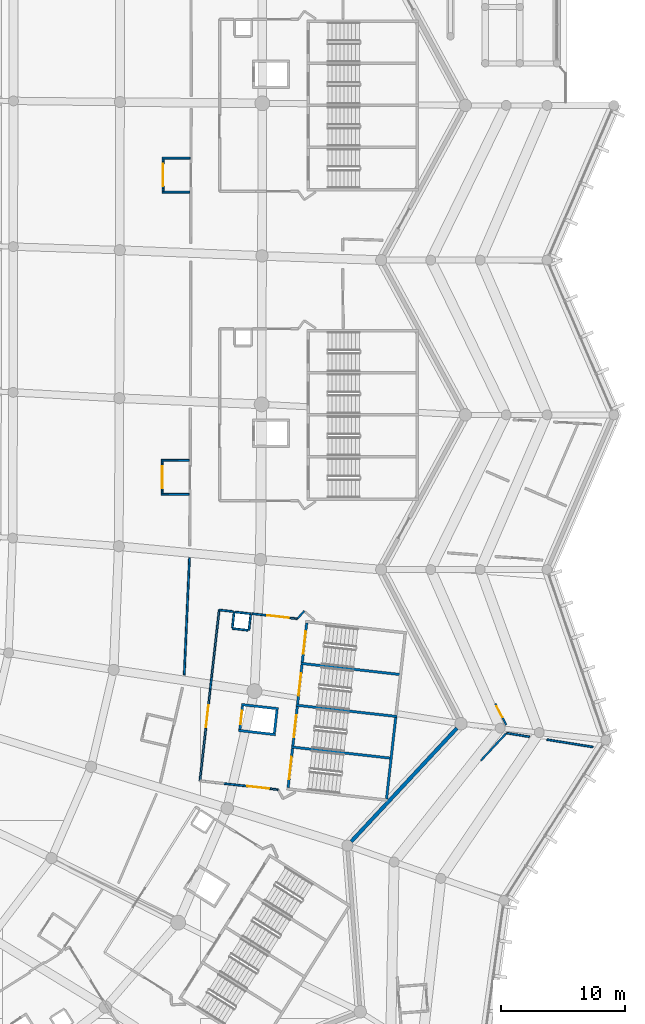
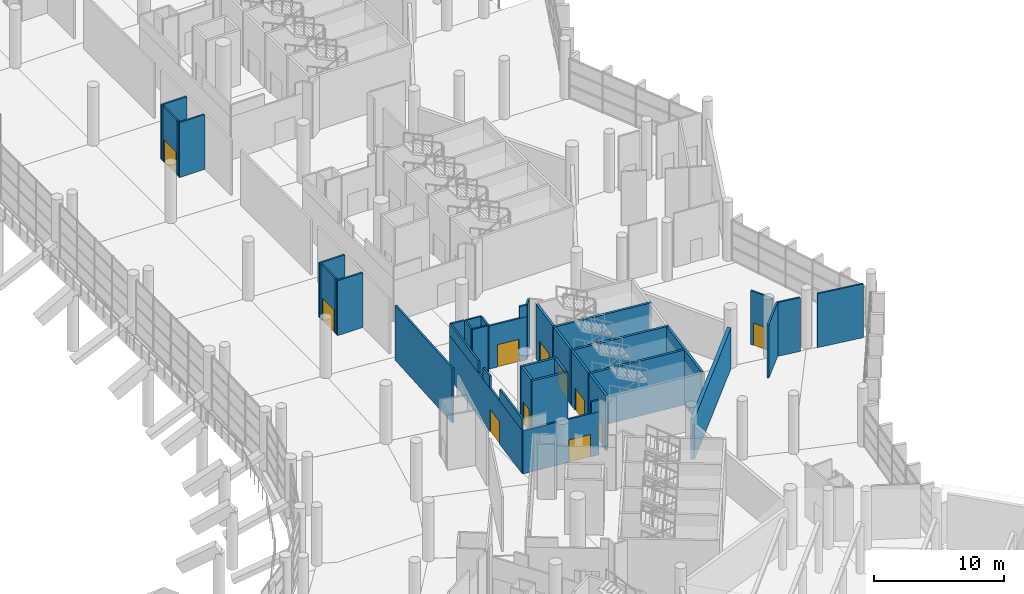
# One storey, part 176 of 271: 42 walls, 11 doors, 11 openings.
"""IFC4 building model written with IfcOpenShell, lengths in metres."""

from ifc_helpers import new_model, si_unit, direction, frame, frame_2d, origin, place, context, subcontext, project, spatial, rectangle, extrude, material, layer, layer_set, type_object, element, fill, save


model = new_model("IFC4")

# Units and contexts
model_context = context("Model", 3, precision=1e-05, world=origin(), true_north=direction((0.0, 1.0)))
body_context = subcontext(model_context, "Body", "Model", "MODEL_VIEW")
ifc_project = project(units=[si_unit("LENGTHUNIT", "METRE"), si_unit("AREAUNIT", "SQUARE_METRE"), si_unit("VOLUMEUNIT", "CUBIC_METRE"), si_unit("PLANEANGLEUNIT", "RADIAN"), si_unit("MASSUNIT", "GRAM", prefix="KILO")], contexts=[model_context])

# Site, building, storey
site_placement = place(None, origin())
site = spatial("IfcSite", under=ifc_project, at=site_placement, CompositionType="ELEMENT")
building_placement = place(site_placement, origin())
building = spatial("IfcBuilding", under=site, at=building_placement, Name="Meseta Stadium", CompositionType="ELEMENT")
storey_placement = place(building_placement, frame((0.0, 0.0, 6.5)))
storey = spatial("IfcBuildingStorey", under=building, at=storey_placement, Name="L01", CompositionType="ELEMENT", Elevation=6.5)

# Walls
ifc_material_1 = material(Name="Concrete C40/50", Category="concrete")
ifc_layer_1 = layer(ifc_material_1, 0.199951171875)
ifc_layer_set_1 = layer_set([ifc_layer_1], Name="Core divider wall 200")
wall_type_1 = type_object("IfcWallType", Name="Core divider wall 200", PredefinedType="SHEAR", material=ifc_layer_set_1)
wall_1_placement = place(storey_placement, frame((95.503662109375, -58.999267578125, 0.0), z_axis=(0.0, 0.0, 1.0), x_axis=(-0.993710792168, 0.111977058046, 0.0)))
element("IfcWall", 1, at=wall_1_placement, inside=storey, type_object=wall_type_1, Name="Core 01 L01 stair A divider wall", PredefinedType="SHEAR", context=body_context, shape_type="SweptSolid", body=[
    extrude(rectangle(XDim=8.199951171875, YDim=0.199951171875, at=frame_2d((4.10009765625, 0.0))), origin(), (0.0, 0.0, 1.0), 5.14990234375),
])
wall_2_placement = place(storey_placement, frame((96.264892578125, -52.241943359375, 0.0), z_axis=(0.0, 0.0, 1.0), x_axis=(-0.993713731549, 0.111950970206, 0.0)))
element("IfcWall", 2, at=wall_2_placement, inside=storey, type_object=wall_type_1, Name="Core 01 L01 stair B divider wall", PredefinedType="SHEAR", context=body_context, shape_type="SweptSolid", body=[
    extrude(rectangle(XDim=8.19970703125, YDim=0.199951171875, at=frame_2d((4.099853515625, 0.0))), origin(), (0.0, 0.0, 1.0), 5.14990234375),
])
ifc_material_2 = material(Name="Concrete C40/50", Category="concrete")
ifc_layer_2 = layer(ifc_material_2, 0.199951171875)
ifc_layer_set_2 = layer_set([ifc_layer_2], Name="Core shaft wall 200")
wall_type_2 = type_object("IfcWallType", Name="Core shaft wall 200", PredefinedType="SHEAR", material=ifc_layer_set_2)
wall_3_placement = place(storey_placement, frame((95.884521484375, -55.62060546875, 0.0), z_axis=(0.0, 0.0, 1.0), x_axis=(-0.993711165474, 0.111973745194, 0.0)))
element("IfcWall", 3, at=wall_3_placement, inside=storey, type_object=wall_type_2, Name="Core 01 L01 stair wall shared", PredefinedType="SHEAR", context=body_context, shape_type="SweptSolid", body=[
    extrude(rectangle(XDim=8.2001953125, YDim=0.199951171875, at=frame_2d((4.10009765625, 0.0))), origin(), (0.0, 0.0, 1.0), 5.14990234375),
])
wall_4_placement = place(storey_placement, frame((95.034912109375, -62.267333984375, 0.0), z_axis=(0.0, 0.0, 1.0), x_axis=(0.111933579504, 0.993715690617, 0.0)))
element("IfcWall", 4, at=wall_4_placement, inside=storey, type_object=wall_type_2, Name="Core 01 L01 stair A outer end wall", PredefinedType="SHEAR", context=body_context, shape_type="SweptSolid", body=[
    extrude(rectangle(XDim=6.60009765625, YDim=0.199951171875, at=frame_2d((3.300048828125, 0.0))), origin(), (0.0, 0.0, 1.0), 5.14990234375),
])

# Wall, opening, door
wall_5_placement = place(storey_placement, frame((87.085205078125, -61.37158203125, 0.0), z_axis=(0.0, 0.0, 1.0), x_axis=(0.11192190762, 0.993717005286, 0.0)))
wall_5 = element("IfcWall", 5, at=wall_5_placement, inside=storey, type_object=wall_type_2, Name="Core 01 L01 stair A1 inner end wall", PredefinedType="SHEAR", context=body_context, shape_type="SweptSolid", body=[
    extrude(rectangle(XDim=3.199951171875, YDim=0.199951171875, at=frame_2d((1.60009765625, 0.0))), origin(), (0.0, 0.0, 1.0), 5.14990234375),
])
opening_1_placement = place(wall_5_placement, frame((0.699951171875, 0.0, 0.0)))
opening_1 = element("IfcOpeningElement", 6, at=opening_1_placement, cuts=wall_5, Name="Opening D039", PredefinedType="OPENING", context=body_context, shape_type="SweptSolid", body=[
    extrude(rectangle(XDim=1.800048828125, YDim=2.10009765625, at=frame_2d((0.89990234375, 1.050048828125))), frame((0.0, 0.10986328125, 0.0), z_axis=(0.0, -1.0, 0.0), x_axis=(1.0, 0.0, 0.0)), (0.0, 0.0, 1.0), 0.219970703125),
])
ifc_material_3 = material(Name="Steel", Category="steel")
door_type_1 = type_object("IfcDoorType", Name="Stair door 1800x2100", OperationType="DOUBLE_DOOR_SINGLE_SWING", PredefinedType="DOOR", material=ifc_material_3)
door_1_placement = place(opening_1_placement, origin())
door_1 = element("IfcDoor", 7, at=door_1_placement, inside=storey, type_object=door_type_1, Name="Stair A1 door 01 L01", OperationType="DOUBLE_DOOR_SINGLE_SWING", OverallHeight=2.10009765625, OverallWidth=1.800048828125, PredefinedType="DOOR", context=body_context, shape_type="SweptSolid", body=[
    extrude(rectangle(XDim=1.800048828125, YDim=2.10009765625, at=frame_2d((0.89990234375, 1.050048828125))), frame((0.0, 0.02490234375, 0.0), z_axis=(0.0, -1.0, 0.0), x_axis=(1.0, 0.0, 0.0)), (0.0, 0.0, 1.0), 0.050048828125),
])
fill(opening_1, door_1)

wall_6_placement = place(storey_placement, frame((87.4658203125, -57.992919921875, 0.0), z_axis=(0.0, 0.0, 1.0), x_axis=(0.111997244021, 0.993708517288, 0.0)))
wall_6 = element("IfcWall", 8, at=wall_6_placement, inside=storey, type_object=wall_type_2, Name="Core 01 L01 stair A2 inner end wall", PredefinedType="SHEAR", context=body_context, shape_type="SweptSolid", body=[
    extrude(rectangle(XDim=3.199951171875, YDim=0.199951171875, at=frame_2d((1.60009765625, 0.0))), origin(), (0.0, 0.0, 1.0), 5.14990234375),
])
opening_2_placement = place(wall_6_placement, frame((0.699951171875, 0.0, 0.0)))
opening_2 = element("IfcOpeningElement", 9, at=opening_2_placement, cuts=wall_6, Name="Opening D040", PredefinedType="OPENING", context=body_context, shape_type="SweptSolid", body=[
    extrude(rectangle(XDim=1.800048828125, YDim=2.10009765625, at=frame_2d((0.89990234375, 1.050048828125))), frame((0.0, 0.10986328125, 0.0), z_axis=(0.0, -1.0, 0.0), x_axis=(1.0, 0.0, 0.0)), (0.0, 0.0, 1.0), 0.219970703125),
])
door_2_placement = place(opening_2_placement, origin())
door_2 = element("IfcDoor", 10, at=door_2_placement, inside=storey, type_object=door_type_1, Name="Stair A2 door 01 L01", OperationType="DOUBLE_DOOR_SINGLE_SWING", OverallHeight=2.10009765625, OverallWidth=1.800048828125, PredefinedType="DOOR", context=body_context, shape_type="SweptSolid", body=[
    extrude(rectangle(XDim=1.800048828125, YDim=2.10009765625, at=frame_2d((0.89990234375, 1.050048828125))), frame((0.0, 0.02490234375, 0.0), z_axis=(0.0, -1.0, 0.0), x_axis=(1.0, 0.0, 0.0)), (0.0, 0.0, 1.0), 0.050048828125),
])
fill(opening_2, door_2)

wall_7_placement = place(storey_placement, frame((87.846435546875, -54.6142578125, 0.0), z_axis=(0.0, 0.0, 1.0), x_axis=(0.112005735442, 0.993707560215, 0.0)))
wall_7 = element("IfcWall", 11, at=wall_7_placement, inside=storey, type_object=wall_type_2, Name="Core 01 L01 stair B1 inner end wall", PredefinedType="SHEAR", context=body_context, shape_type="SweptSolid", body=[
    extrude(rectangle(XDim=3.19970703125, YDim=0.199951171875, at=frame_2d((1.599853515625, 0.0))), origin(), (0.0, 0.0, 1.0), 5.14990234375),
])
opening_3_placement = place(wall_7_placement, frame((0.699951171875, 0.0, 0.0)))
opening_3 = element("IfcOpeningElement", 12, at=opening_3_placement, cuts=wall_7, Name="Opening D041", PredefinedType="OPENING", context=body_context, shape_type="SweptSolid", body=[
    extrude(rectangle(XDim=1.800048828125, YDim=2.10009765625, at=frame_2d((0.89990234375, 1.050048828125))), frame((0.0, 0.10986328125, 0.0), z_axis=(0.0, -1.0, 0.0), x_axis=(1.0, 0.0, 0.0)), (0.0, 0.0, 1.0), 0.219970703125),
])
door_3_placement = place(opening_3_placement, origin())
door_3 = element("IfcDoor", 13, at=door_3_placement, inside=storey, type_object=door_type_1, Name="Stair B1 door 01 L01", OperationType="DOUBLE_DOOR_SINGLE_SWING", OverallHeight=2.10009765625, OverallWidth=1.800048828125, PredefinedType="DOOR", context=body_context, shape_type="SweptSolid", body=[
    extrude(rectangle(XDim=1.800048828125, YDim=2.10009765625, at=frame_2d((0.89990234375, 1.050048828125))), frame((0.0, 0.02490234375, 0.0), z_axis=(0.0, -1.0, 0.0), x_axis=(1.0, 0.0, 0.0)), (0.0, 0.0, 1.0), 0.050048828125),
])
fill(opening_3, door_3)

wall_8_placement = place(storey_placement, frame((88.227294921875, -51.235595703125, 0.0), z_axis=(0.0, 0.0, 1.0), x_axis=(0.111930393474, 0.993716049491, 0.0)))
wall_8 = element("IfcWall", 14, at=wall_8_placement, inside=storey, type_object=wall_type_2, Name="Core 01 L01 stair B2 inner end wall", PredefinedType="SHEAR", context=body_context, shape_type="SweptSolid", body=[
    extrude(rectangle(XDim=3.19970703125, YDim=0.199951171875, at=frame_2d((1.599853515625, 0.0))), origin(), (0.0, 0.0, 1.0), 5.14990234375),
])
opening_4_placement = place(wall_8_placement, frame((0.699951171875, 0.0, 0.0)))
opening_4 = element("IfcOpeningElement", 15, at=opening_4_placement, cuts=wall_8, Name="Opening D042", PredefinedType="OPENING", context=body_context, shape_type="SweptSolid", body=[
    extrude(rectangle(XDim=1.800048828125, YDim=2.10009765625, at=frame_2d((0.89990234375, 1.050048828125))), frame((0.0, 0.10986328125, 0.0), z_axis=(0.0, -1.0, 0.0), x_axis=(1.0, 0.0, 0.0)), (0.0, 0.0, 1.0), 0.219970703125),
])
door_4_placement = place(opening_4_placement, origin())
door_4 = element("IfcDoor", 16, at=door_4_placement, inside=storey, type_object=door_type_1, Name="Stair B2 door 01 L01", OperationType="DOUBLE_DOOR_SINGLE_SWING", OverallHeight=2.10009765625, OverallWidth=1.800048828125, PredefinedType="DOOR", context=body_context, shape_type="SweptSolid", body=[
    extrude(rectangle(XDim=1.800048828125, YDim=2.10009765625, at=frame_2d((0.89990234375, 1.050048828125))), frame((0.0, 0.02490234375, 0.0), z_axis=(0.0, -1.0, 0.0), x_axis=(1.0, 0.0, 0.0)), (0.0, 0.0, 1.0), 0.050048828125),
])
fill(opening_4, door_4)

# Walls
for number, where, z_axis, x_axis, name in (
    (17, (86.05908203125, -57.07958984375, 0.0), (0.0, 0.0, 1.0), (-0.993718878013, 0.111905279056, 0.0), "Core 01 L01 lift shaft wall left"),
    (18, (86.294189453125, -54.992919921875, 0.0), (0.0, 0.0, 1.0), (-0.993709824566, 0.111985644439, 0.0), "Core 01 L01 lift shaft wall right"),
):
    element("IfcWall", number, at=place(storey_placement, frame(where, z_axis=z_axis, x_axis=x_axis)), inside=storey, type_object=wall_type_2, Name=name, PredefinedType="SHEAR", context=body_context, shape_type="SweptSolid", body=[
        extrude(rectangle(XDim=2.999755859375, YDim=0.199951171875, at=frame_2d((1.5, 0.0))), origin(), (0.0, 0.0, 1.0), 5.14990234375),
    ])
wall_9_placement = place(storey_placement, frame((85.970947265625, -56.96923828125, 0.0), z_axis=(0.0, 0.0, 1.0), x_axis=(0.112039012324, 0.993703808847, 0.0)))
element("IfcWall", 19, at=wall_9_placement, inside=storey, type_object=wall_type_2, Name="Core 01 L01 lift shaft back wall", PredefinedType="SHEAR", context=body_context, shape_type="SweptSolid", body=[
    extrude(rectangle(XDim=1.900146484375, YDim=0.199951171875, at=frame_2d((0.9501953125, 0.0))), origin(), (0.0, 0.0, 1.0), 5.14990234375),
])

# Wall, opening, door
wall_10_placement = place(storey_placement, frame((83.188720703125, -56.65576171875, 0.0), z_axis=(0.0, 0.0, 1.0), x_axis=(0.11191213732, 0.993718105662, 0.0)))
wall_10 = element("IfcWall", 20, at=wall_10_placement, inside=storey, type_object=wall_type_2, Name="Core 01 L01 lift shaft front wall", PredefinedType="SHEAR", context=body_context, shape_type="SweptSolid", body=[
    extrude(rectangle(XDim=1.900146484375, YDim=0.199951171875, at=frame_2d((0.9501953125, 0.0))), origin(), (0.0, 0.0, 1.0), 5.14990234375),
])
opening_5_placement = place(wall_10_placement, frame((0.39990234375, 0.0, 0.0)))
opening_5 = element("IfcOpeningElement", 21, at=opening_5_placement, cuts=wall_10, Name="Opening LD3", PredefinedType="OPENING", context=body_context, shape_type="SweptSolid", body=[
    extrude(rectangle(XDim=1.10009765625, YDim=2.10009765625, at=frame_2d((0.550048828125, 1.050048828125))), frame((0.0, 0.10986328125, 0.0), z_axis=(0.0, -1.0, 0.0), x_axis=(1.0, 0.0, 0.0)), (0.0, 0.0, 1.0), 0.219970703125),
])
ifc_material_4 = material(Name="Steel", Category="steel")
door_type_2 = type_object("IfcDoorType", Name="Lift landing door 1100x2100", OperationType="SLIDING_TO_LEFT", PredefinedType="DOOR", material=ifc_material_4)
door_5_placement = place(opening_5_placement, origin())
door_5 = element("IfcDoor", 22, at=door_5_placement, inside=storey, type_object=door_type_2, Name="Lift landing door LD3", OperationType="SLIDING_TO_LEFT", OverallHeight=2.10009765625, OverallWidth=1.10009765625, PredefinedType="DOOR", context=body_context, shape_type="SweptSolid", body=[
    extrude(rectangle(XDim=1.10009765625, YDim=2.10009765625, at=frame_2d((0.550048828125, 1.050048828125))), frame((0.0, 0.02490234375, 0.0), z_axis=(0.0, -1.0, 0.0), x_axis=(1.0, 0.0, 0.0)), (0.0, 0.0, 1.0), 0.050048828125),
])
fill(opening_5, door_5)

# Walls
ifc_material_5 = material(Name="Masonry blockwork", Category="masonry")
ifc_layer_3 = layer(ifc_material_5, 0.14990234375)
ifc_layer_set_3 = layer_set([ifc_layer_3], Name="Partition 150")
wall_type_3 = type_object("IfcWallType", Name="Partition 150", PredefinedType="PARTITIONING", material=ifc_layer_set_3)
wall_11_placement = place(storey_placement, frame((79.115478515625, -42.80029296875, 0.0), z_axis=(0.0, 0.0, 1.0), x_axis=(-0.044768155876, -0.99899740351, 0.0)))
element("IfcWall", 23, at=wall_11_placement, inside=storey, type_object=wall_type_3, Name="Partition L01 L01-cell00-0-0", PredefinedType="PARTITIONING", context=body_context, shape_type="SweptSolid", body=[
    extrude(rectangle(XDim=9.47265625, YDim=0.14990234375, at=frame_2d((4.736328125, 0.0))), origin(), (0.0, 0.0, 1.0), 5.14990234375),
])
wall_12_placement = place(storey_placement, frame((111.71240234375, -58.083251953125, 0.0), z_axis=(0.0, 0.0, 1.0), x_axis=(-0.987279127288, 0.158996618901, 0.0)))
element("IfcWall", 24, at=wall_12_placement, inside=storey, type_object=wall_type_3, Name="Partition L01 L01-ring00-0w", PredefinedType="PARTITIONING", context=body_context, shape_type="SweptSolid", body=[
    extrude(rectangle(XDim=3.77587890625, YDim=0.14990234375, at=frame_2d((1.887939453125, 0.0))), origin(), (0.0, 0.0, 1.0), 5.050048828125),
])
wall_13_placement = place(storey_placement, frame((106.586669921875, -57.2578125, 0.0), z_axis=(0.0, 0.0, 1.0), x_axis=(-0.987270611286, 0.159049489441, 0.0)))
element("IfcWall", 25, at=wall_13_placement, inside=storey, type_object=wall_type_3, Name="Partition L01 L01-ring00-0w", PredefinedType="PARTITIONING", context=body_context, shape_type="SweptSolid", body=[
    extrude(rectangle(XDim=1.887939453125, YDim=0.14990234375, at=frame_2d((0.94384765625, 0.0))), origin(), (0.0, 0.0, 1.0), 5.050048828125),
])

# Wall, opening, door
wall_14_placement = place(storey_placement, frame((104.707275390625, -56.302490234375, 0.0), z_axis=(0.0, 0.0, 1.0), x_axis=(-0.459976248991, 0.887931219388, 0.0)))
wall_14 = element("IfcWall", 26, at=wall_14_placement, inside=storey, type_object=wall_type_3, Name="Partition L01 L01-ring00-0w", PredefinedType="PARTITIONING", context=body_context, shape_type="SweptSolid", body=[
    extrude(rectangle(XDim=1.944091796875, YDim=0.14990234375, at=frame_2d((0.97216796875, 0.0))), origin(), (0.0, 0.0, 1.0), 5.050048828125),
])
opening_6_placement = place(wall_14_placement, frame((0.699951171875, 0.0, 0.0)))
opening_6 = element("IfcOpeningElement", 27, at=opening_6_placement, cuts=wall_14, Name="Opening D683", PredefinedType="OPENING", context=body_context, shape_type="SweptSolid", body=[
    extrude(rectangle(XDim=1.0, YDim=2.10009765625, at=frame_2d((0.5, 1.050048828125))), frame((0.0, 0.0849609375, 0.0), z_axis=(0.0, -1.0, 0.0), x_axis=(1.0, 0.0, 0.0)), (0.0, 0.0, 1.0), 0.169921875),
])
ifc_material_6 = material(Name="Timber", Category="wood")
door_type_3 = type_object("IfcDoorType", Name="Room door 1000x2100", OperationType="NOTDEFINED", PredefinedType="DOOR", material=ifc_material_6)
door_6_placement = place(opening_6_placement, origin())
door_6 = element("IfcDoor", 28, at=door_6_placement, inside=storey, type_object=door_type_3, Name="Door D683", OperationType="SINGLE_SWING_RIGHT", OverallHeight=2.10009765625, OverallWidth=1.0, PredefinedType="DOOR", context=body_context, shape_type="SweptSolid", body=[
    extrude(rectangle(XDim=1.0, YDim=2.10009765625, at=frame_2d((0.5, 1.050048828125))), frame((0.0, 0.02490234375, 0.0), z_axis=(0.0, -1.0, 0.0), x_axis=(1.0, 0.0, 0.0)), (0.0, 0.0, 1.0), 0.050048828125),
])
fill(opening_6, door_6)

# Walls
wall_15_placement = place(storey_placement, frame((102.649169921875, -59.182373046875, 0.0), z_axis=(0.0, 0.0, 1.0), x_axis=(0.681774249461, 0.731562623958, 0.0)))
element("IfcWall", 29, at=wall_15_placement, inside=storey, type_object=wall_type_3, Name="Partition L01 L01-ring27-0", PredefinedType="PARTITIONING", context=body_context, shape_type="SweptSolid", body=[
    extrude(rectangle(XDim=2.9912109375, YDim=0.14990234375, at=frame_2d((1.49560546875, 0.0))), origin(), (0.0, 0.0, 1.0), 5.050048828125),
])
for number, where, z_axis, x_axis, name in (
    (30, (83.913330078125, -48.66162109375, 0.0), (0.0, 0.0, 1.0), (0.111818407645, 0.993728656984, 0.0), "Pressurisation shaft wall L01 core 01"),
    (31, (84.064453125, -47.320068359375, 0.0), (0.0, 0.0, 1.0), (-0.993707363865, 0.11200747743, 0.0), "Pressurisation shaft wall L01 core 01"),
):
    element("IfcWall", number, at=place(storey_placement, frame(where, z_axis=z_axis, x_axis=x_axis)), inside=storey, type_object=wall_type_3, Name=name, PredefinedType="PARTITIONING", context=body_context, shape_type="SweptSolid", body=[
        extrude(rectangle(XDim=1.275146484375, YDim=0.14990234375, at=frame_2d((0.6376953125, 0.0))), origin(), (0.0, 0.0, 1.0), 5.14990234375),
    ])
for number, where, z_axis, x_axis, name in (
    (32, (82.722900390625, -47.1689453125, 0.0), (0.0, 0.0, 1.0), (-0.112028792108, -0.993704961112, 0.0), "Pressurisation shaft wall L01 core 01"),
    (33, (82.57177734375, -48.510498046875, 0.0), (0.0, 0.0, 1.0), (0.993726262285, -0.111839687257, 0.0), "Pressurisation shaft wall L01 core 01"),
):
    element("IfcWall", number, at=place(storey_placement, frame(where, z_axis=z_axis, x_axis=x_axis)), inside=storey, type_object=wall_type_3, Name=name, PredefinedType="PARTITIONING", context=body_context, shape_type="SweptSolid", body=[
        extrude(rectangle(XDim=1.27490234375, YDim=0.14990234375, at=frame_2d((0.637451171875, 0.0))), origin(), (0.0, 0.0, 1.0), 5.14990234375),
    ])
wall_16_placement = place(storey_placement, frame((82.640625, -47.139404296875, 0.0), z_axis=(0.0, 0.0, 1.0), x_axis=(-0.993725340882, 0.111847873866, 0.0)))
element("IfcWall", 34, at=wall_16_placement, inside=storey, type_object=wall_type_3, Name="Stair vestibule wall L01 core 01", PredefinedType="PARTITIONING", context=body_context, shape_type="SweptSolid", body=[
    extrude(rectangle(XDim=1.135009765625, YDim=0.14990234375, at=frame_2d((0.5673828125, 0.0))), origin(), (0.0, 0.0, 1.0), 5.14990234375),
])

# Wall, opening, door
wall_17_placement = place(storey_placement, frame((81.5126953125, -47.012451171875, 0.0), z_axis=(0.0, 0.0, 1.0), x_axis=(-0.111965089533, -0.993712140776, 0.0)))
wall_17 = element("IfcWall", 35, at=wall_17_placement, inside=storey, type_object=wall_type_3, Name="Stair vestibule wall L01 core 01", PredefinedType="PARTITIONING", context=body_context, shape_type="SweptSolid", body=[
    extrude(rectangle(XDim=13.889892578125, YDim=0.14990234375, at=frame_2d((6.94482421875, 0.0))), origin(), (0.0, 0.0, 1.0), 4.050048828125),
])
opening_7_placement = place(wall_17_placement, frame((7.75, 0.0, 0.0)))
opening_7 = element("IfcOpeningElement", 36, at=opening_7_placement, cuts=wall_17, Name="Opening D744", PredefinedType="OPENING", context=body_context, shape_type="SweptSolid", body=[
    extrude(rectangle(XDim=1.800048828125, YDim=2.10009765625, at=frame_2d((0.89990234375, 1.050048828125))), frame((0.0, 0.0849609375, 0.0), z_axis=(0.0, -1.0, 0.0), x_axis=(1.0, 0.0, 0.0)), (0.0, 0.0, 1.0), 0.169921875),
])
ifc_material_7 = material(Name="Steel", Category="steel")
door_type_4 = type_object("IfcDoorType", Name="Fire double door 1800x2100 EI2 60", OperationType="DOUBLE_DOOR_SINGLE_SWING", PredefinedType="DOOR", material=ifc_material_7)
door_7_placement = place(opening_7_placement, origin())
door_7 = element("IfcDoor", 37, at=door_7_placement, inside=storey, type_object=door_type_4, Name="Stair vestibule door L01 core 01", OperationType="DOUBLE_DOOR_SINGLE_SWING", OverallHeight=2.10009765625, OverallWidth=1.800048828125, PredefinedType="DOOR", context=body_context, shape_type="SweptSolid", body=[
    extrude(rectangle(XDim=1.800048828125, YDim=2.10009765625, at=frame_2d((0.89990234375, 1.050048828125))), frame((0.0, 0.02490234375, 0.0), z_axis=(0.0, -1.0, 0.0), x_axis=(1.0, 0.0, 0.0)), (0.0, 0.0, 1.0), 0.050048828125),
])
fill(opening_7, door_7)

# Walls
wall_18_placement = place(storey_placement, frame((81.5126953125, -47.012451171875, 4.050048828125), z_axis=(0.0, 0.0, 1.0), x_axis=(-0.111943888003, -0.993714529399, 0.0)))
element("IfcWall", 38, at=wall_18_placement, inside=storey, type_object=wall_type_3, Name="Stair vestibule wall L01 core 01", PredefinedType="PARTITIONING", context=body_context, shape_type="SweptSolid", body=[
    extrude(rectangle(XDim=5.45654296875, YDim=0.14990234375, at=frame_2d((2.728271484375, 0.0))), origin(), (0.0, 0.0, 1.0), 1.099853515625),
])
wall_19_placement = place(storey_placement, frame((80.43798828125, -56.552001953125, 4.050048828125), z_axis=(0.0, 0.0, 1.0), x_axis=(-0.111999194174, -0.993708297492, 0.0)))
element("IfcWall", 39, at=wall_19_placement, inside=storey, type_object=wall_type_3, Name="Stair vestibule wall L01 core 01", PredefinedType="PARTITIONING", context=body_context, shape_type="SweptSolid", body=[
    extrude(rectangle(XDim=4.2900390625, YDim=0.14990234375, at=frame_2d((2.14501953125, 0.0))), origin(), (0.0, 0.0, 1.0), 1.099853515625),
])

# Wall, opening, door
wall_20_placement = place(storey_placement, frame((79.95751953125, -60.81494140625, 0.0), z_axis=(0.0, 0.0, 1.0), x_axis=(0.99370867388, -0.111995854638, 0.0)))
wall_20 = element("IfcWall", 40, at=wall_20_placement, inside=storey, type_object=wall_type_3, Name="Stair vestibule wall L01 core 01", PredefinedType="PARTITIONING", context=body_context, shape_type="SweptSolid", body=[
    extrude(rectangle(XDim=6.3544921875, YDim=0.14990234375, at=frame_2d((3.17724609375, 0.0))), origin(), (0.0, 0.0, 1.0), 4.050048828125),
])
opening_8_placement = place(wall_20_placement, frame((3.85009765625, 0.0, 0.0)))
opening_8 = element("IfcOpeningElement", 41, at=opening_8_placement, cuts=wall_20, Name="Opening D746", PredefinedType="OPENING", context=body_context, shape_type="SweptSolid", body=[
    extrude(rectangle(XDim=1.800048828125, YDim=2.10009765625, at=frame_2d((0.89990234375, 1.050048828125))), frame((0.0, 0.0849609375, 0.0), z_axis=(0.0, -1.0, 0.0), x_axis=(1.0, 0.0, 0.0)), (0.0, 0.0, 1.0), 0.169921875),
])
door_8_placement = place(opening_8_placement, origin())
door_8 = element("IfcDoor", 42, at=door_8_placement, inside=storey, type_object=door_type_4, Name="Stair vestibule door L01 core 01", OperationType="DOUBLE_DOOR_SINGLE_SWING", OverallHeight=2.10009765625, OverallWidth=1.800048828125, PredefinedType="DOOR", context=body_context, shape_type="SweptSolid", body=[
    extrude(rectangle(XDim=1.800048828125, YDim=2.10009765625, at=frame_2d((0.89990234375, 1.050048828125))), frame((0.0, 0.02490234375, 0.0), z_axis=(0.0, -1.0, 0.0), x_axis=(1.0, 0.0, 0.0)), (0.0, 0.0, 1.0), 0.050048828125),
])
fill(opening_8, door_8)

# Walls
wall_21_placement = place(storey_placement, frame((85.621826171875, -61.453125, 4.050048828125), z_axis=(0.0, 0.0, 1.0), x_axis=(0.993672626597, -0.11231523117, 0.0)))
element("IfcWall", 43, at=wall_21_placement, inside=storey, type_object=wall_type_3, Name="Stair vestibule wall L01 core 01", PredefinedType="PARTITIONING", context=body_context, shape_type="SweptSolid", body=[
    extrude(rectangle(XDim=0.654296875, YDim=0.14990234375, at=frame_2d((0.3271484375, 0.0))), origin(), (0.0, 0.0, 1.0), 1.099853515625),
])
wall_22_placement = place(storey_placement, frame((88.377685546875, -47.10302734375, 0.0), z_axis=(0.0, 0.0, 1.0), x_axis=(-0.66330376879, -0.748350259109, 0.0)))
element("IfcWall", 44, at=wall_22_placement, inside=storey, type_object=wall_type_3, Name="Stair vestibule wall L01 core 01", PredefinedType="PARTITIONING", context=body_context, shape_type="SweptSolid", body=[
    extrude(rectangle(XDim=0.82958984375, YDim=0.14990234375, at=frame_2d((0.414794921875, 0.0))), origin(), (0.0, 0.0, 1.0), 5.14990234375),
])

# Wall, opening, door
wall_23_placement = place(storey_placement, frame((87.827392578125, -47.723876953125, 0.0), z_axis=(0.0, 0.0, 1.0), x_axis=(-0.993708869306, 0.11199412066, 0.0)))
wall_23 = element("IfcWall", 45, at=wall_23_placement, inside=storey, type_object=wall_type_3, Name="Stair vestibule wall L01 core 01", PredefinedType="PARTITIONING", context=body_context, shape_type="SweptSolid", body=[
    extrude(rectangle(XDim=3.70361328125, YDim=0.14990234375, at=frame_2d((1.851806640625, 0.0))), origin(), (0.0, 0.0, 1.0), 4.050048828125),
])
opening_9_placement = place(wall_23_placement, frame((0.64990234375, 0.0, 0.0)))
opening_9 = element("IfcOpeningElement", 46, at=opening_9_placement, cuts=wall_23, Name="Opening D745", PredefinedType="OPENING", context=body_context, shape_type="SweptSolid", body=[
    extrude(rectangle(XDim=1.800048828125, YDim=2.10009765625, at=frame_2d((0.89990234375, 1.050048828125))), frame((0.0, 0.0849609375, 0.0), z_axis=(0.0, -1.0, 0.0), x_axis=(1.0, 0.0, 0.0)), (0.0, 0.0, 1.0), 0.169921875),
])
door_9_placement = place(opening_9_placement, origin())
door_9 = element("IfcDoor", 47, at=door_9_placement, inside=storey, type_object=door_type_4, Name="Stair vestibule door L01 core 01", OperationType="DOUBLE_DOOR_SINGLE_SWING", OverallHeight=2.10009765625, OverallWidth=1.800048828125, PredefinedType="DOOR", context=body_context, shape_type="SweptSolid", body=[
    extrude(rectangle(XDim=1.800048828125, YDim=2.10009765625, at=frame_2d((0.89990234375, 1.050048828125))), frame((0.0, 0.02490234375, 0.0), z_axis=(0.0, -1.0, 0.0), x_axis=(1.0, 0.0, 0.0)), (0.0, 0.0, 1.0), 0.050048828125),
])
fill(opening_9, door_9)

# Walls
wall_24_placement = place(storey_placement, frame((87.827392578125, -47.723876953125, 4.050048828125), z_axis=(0.0, 0.0, 1.0), x_axis=(-0.993673547442, 0.112307083986, 0.0)))
element("IfcWall", 48, at=wall_24_placement, inside=storey, type_object=wall_type_3, Name="Stair vestibule wall L01 core 01", PredefinedType="PARTITIONING", context=body_context, shape_type="SweptSolid", body=[
    extrude(rectangle(XDim=0.60009765625, YDim=0.14990234375, at=frame_2d((0.300048828125, 0.0))), origin(), (0.0, 0.0, 1.0), 1.099853515625),
])
for number, where, z_axis, x_axis, name in (
    (49, (79.09619140625, -34.9267578125, 0.0), (0.0, 0.0, 1.0), (-0.999989615708, 0.004557244342, 0.0), "Partition L01 L01-cell00-0-0 vestibule"),
    (50, (79.083740234375, -37.6767578125, 0.0), (0.0, 0.0, 1.0), (-0.999989615708, 0.004557244342, 0.0), "Partition L01 L01-cell00-0-0 vestibule"),
):
    element("IfcWall", number, at=place(storey_placement, frame(where, z_axis=z_axis, x_axis=x_axis)), inside=storey, type_object=wall_type_3, Name=name, PredefinedType="PARTITIONING", context=body_context, shape_type="SweptSolid", body=[
        extrude(rectangle(XDim=2.25, YDim=0.14990234375, at=frame_2d((1.125, 0.0))), origin(), (0.0, 0.0, 1.0), 5.14990234375),
    ])
wall_25_placement = place(storey_placement, frame((76.9208984375, -34.991943359375, 0.0), z_axis=(0.0, 0.0, 1.0), x_axis=(-0.003662979089, -0.99999329127, 0.0)))
element("IfcWall", 51, at=wall_25_placement, inside=storey, type_object=wall_type_3, Name="Partition L01 L01-cell00-0-0 vestibule", PredefinedType="PARTITIONING", context=body_context, shape_type="SweptSolid", body=[
    extrude(rectangle(XDim=0.199951171875, YDim=0.14990234375, at=frame_2d((0.10009765625, 0.0))), origin(), (0.0, 0.0, 1.0), 5.14990234375),
])

# Wall, opening, door
wall_26_placement = place(storey_placement, frame((76.920166015625, -35.19189453125, 0.0), z_axis=(0.0, 0.0, 1.0), x_axis=(-0.004549947354, -0.999989648936, 0.0)))
wall_26 = element("IfcWall", 52, at=wall_26_placement, inside=storey, type_object=wall_type_3, Name="Partition L01 L01-cell00-0-0 vestibule", PredefinedType="PARTITIONING", context=body_context, shape_type="SweptSolid", body=[
    extrude(rectangle(XDim=2.199951171875, YDim=0.14990234375, at=frame_2d((1.10009765625, 0.0))), origin(), (0.0, 0.0, 1.0), 5.14990234375),
])
opening_10_placement = place(wall_26_placement, frame((0.199951171875, 0.0, 0.0)))
opening_10 = element("IfcOpeningElement", 53, at=opening_10_placement, cuts=wall_26, Name="Opening D886", PredefinedType="OPENING", context=body_context, shape_type="SweptSolid", body=[
    extrude(rectangle(XDim=1.800048828125, YDim=2.10009765625, at=frame_2d((0.89990234375, 1.050048828125))), frame((0.0, 0.0849609375, 0.0), z_axis=(0.0, -1.0, 0.0), x_axis=(1.0, 0.0, 0.0)), (0.0, 0.0, 1.0), 0.169921875),
])
door_10_placement = place(opening_10_placement, origin())
door_10 = element("IfcDoor", 54, at=door_10_placement, inside=storey, type_object=door_type_4, Name="Vestibule door L01 L01-cell00-0-0", OperationType="DOUBLE_DOOR_SINGLE_SWING", OverallHeight=2.10009765625, OverallWidth=1.800048828125, PredefinedType="DOOR", context=body_context, shape_type="SweptSolid", body=[
    extrude(rectangle(XDim=1.800048828125, YDim=2.10009765625, at=frame_2d((0.89990234375, 1.050048828125))), frame((0.0, 0.02490234375, 0.0), z_axis=(0.0, -1.0, 0.0), x_axis=(1.0, 0.0, 0.0)), (0.0, 0.0, 1.0), 0.050048828125),
])
fill(opening_10, door_10)

# Walls
wall_27_placement = place(storey_placement, frame((76.91015625, -37.391845703125, 0.0), z_axis=(0.0, 0.0, 1.0), x_axis=(-0.004883946635, -0.999988073462, 0.0)))
element("IfcWall", 55, at=wall_27_placement, inside=storey, type_object=wall_type_3, Name="Partition L01 L01-cell00-0-0 vestibule", PredefinedType="PARTITIONING", context=body_context, shape_type="SweptSolid", body=[
    extrude(rectangle(XDim=0.199951171875, YDim=0.14990234375, at=frame_2d((0.10009765625, 0.0))), origin(), (0.0, 0.0, 1.0), 5.14990234375),
])
for number, where, z_axis, x_axis, name in (
    (56, (79.16259765625, -10.511474609375, 0.0), (0.0, 0.0, 1.0), (-0.999997403897, 0.002278639918, 0.0), "Partition L01 L01-cell01-0-0 vestibule"),
    (57, (79.156494140625, -13.261474609375, 0.0), (0.0, 0.0, 1.0), (-0.999997403897, 0.002278639918, 0.0), "Partition L01 L01-cell01-0-0 vestibule"),
):
    element("IfcWall", number, at=place(storey_placement, frame(where, z_axis=z_axis, x_axis=x_axis)), inside=storey, type_object=wall_type_3, Name=name, PredefinedType="PARTITIONING", context=body_context, shape_type="SweptSolid", body=[
        extrude(rectangle(XDim=2.25, YDim=0.14990234375, at=frame_2d((1.125, 0.0))), origin(), (0.0, 0.0, 1.0), 5.14990234375),
    ])
wall_28_placement = place(storey_placement, frame((76.987548828125, -10.58154296875, 0.0), z_axis=(0.0, 0.0, 1.0), x_axis=(-0.002441995161, -0.999997018325, 0.0)))
element("IfcWall", 58, at=wall_28_placement, inside=storey, type_object=wall_type_3, Name="Partition L01 L01-cell01-0-0 vestibule", PredefinedType="PARTITIONING", context=body_context, shape_type="SweptSolid", body=[
    extrude(rectangle(XDim=0.199951171875, YDim=0.14990234375, at=frame_2d((0.10009765625, 0.0))), origin(), (0.0, 0.0, 1.0), 5.14990234375),
])

# Wall, opening, door
wall_29_placement = place(storey_placement, frame((76.987060546875, -10.781494140625, 0.0), z_axis=(0.0, 0.0, 1.0), x_axis=(-0.002330220038, -0.999997285034, 0.0)))
wall_29 = element("IfcWall", 59, at=wall_29_placement, inside=storey, type_object=wall_type_3, Name="Partition L01 L01-cell01-0-0 vestibule", PredefinedType="PARTITIONING", context=body_context, shape_type="SweptSolid", body=[
    extrude(rectangle(XDim=2.2001953125, YDim=0.14990234375, at=frame_2d((1.10009765625, 0.0))), origin(), (0.0, 0.0, 1.0), 5.14990234375),
])
opening_11_placement = place(wall_29_placement, frame((0.199951171875, 0.0, 0.0)))
opening_11 = element("IfcOpeningElement", 60, at=opening_11_placement, cuts=wall_29, Name="Opening D887", PredefinedType="OPENING", context=body_context, shape_type="SweptSolid", body=[
    extrude(rectangle(XDim=1.800048828125, YDim=2.10009765625, at=frame_2d((0.89990234375, 1.050048828125))), frame((0.0, 0.0849609375, 0.0), z_axis=(0.0, -1.0, 0.0), x_axis=(1.0, 0.0, 0.0)), (0.0, 0.0, 1.0), 0.169921875),
])
door_11_placement = place(opening_11_placement, origin())
door_11 = element("IfcDoor", 61, at=door_11_placement, inside=storey, type_object=door_type_4, Name="Vestibule door L01 L01-cell01-0-0", OperationType="DOUBLE_DOOR_SINGLE_SWING", OverallHeight=2.10009765625, OverallWidth=1.800048828125, PredefinedType="DOOR", context=body_context, shape_type="SweptSolid", body=[
    extrude(rectangle(XDim=1.800048828125, YDim=2.10009765625, at=frame_2d((0.89990234375, 1.050048828125))), frame((0.0, 0.02490234375, 0.0), z_axis=(0.0, -1.0, 0.0), x_axis=(1.0, 0.0, 0.0)), (0.0, 0.0, 1.0), 0.050048828125),
])
fill(opening_11, door_11)

# Walls
wall_30_placement = place(storey_placement, frame((76.98193359375, -12.981689453125, 0.0), z_axis=(0.0, 0.0, 1.0), x_axis=(-0.002441995161, -0.999997018325, 0.0)))
element("IfcWall", 62, at=wall_30_placement, inside=storey, type_object=wall_type_3, Name="Partition L01 L01-cell01-0-0 vestibule", PredefinedType="PARTITIONING", context=body_context, shape_type="SweptSolid", body=[
    extrude(rectangle(XDim=0.199951171875, YDim=0.14990234375, at=frame_2d((0.10009765625, 0.0))), origin(), (0.0, 0.0, 1.0), 5.14990234375),
])
wall_31_placement = place(storey_placement, frame((80.790771484375, -53.4208984375, 4.050048828125), z_axis=(0.0, 0.0, 1.0), x_axis=(-0.11201638851, -0.993706359397, 0.0)))
element("IfcWall", 63, at=wall_31_placement, inside=storey, type_object=wall_type_3, Name="Stair vestibule wall L01 core 01", PredefinedType="PARTITIONING", context=body_context, shape_type="SweptSolid", body=[
    extrude(rectangle(XDim=1.2509765625, YDim=0.14990234375, at=frame_2d((0.62548828125, 0.0))), origin(), (0.0, 0.0, 1.0), 1.099853515625),
])
ifc_material_8 = material(Name="White precast concrete C40/50", Category="concrete")
ifc_layer_4 = layer(ifc_material_8, 0.300048828125)
ifc_layer_set_4 = layer_set([ifc_layer_4], Name="Pleated panel wall 300 concourse")
wall_type_4 = type_object("IfcWallType", Name="Pleated panel wall 300 concourse", PredefinedType="SOLIDWALL", material=ifc_layer_set_4)
wall_32_placement = place(storey_placement, frame((100.711181640625, -56.568115234375, 0.0), z_axis=(0.0, 0.0, 1.0), x_axis=(-0.681794658463, -0.731543603411, 0.0)))
element("IfcWall", 64, at=wall_32_placement, inside=storey, type_object=wall_type_4, Name="Pleated facade panel L01 F55", PredefinedType="SOLIDWALL", context=body_context, shape_type="SweptSolid", body=[
    extrude(rectangle(XDim=12.513916015625, YDim=0.300048828125, at=frame_2d((6.2568359375, 0.0))), origin(), (0.0, 0.0, 1.0), 3.85009765625),
])

save(model, "model.ifc")
